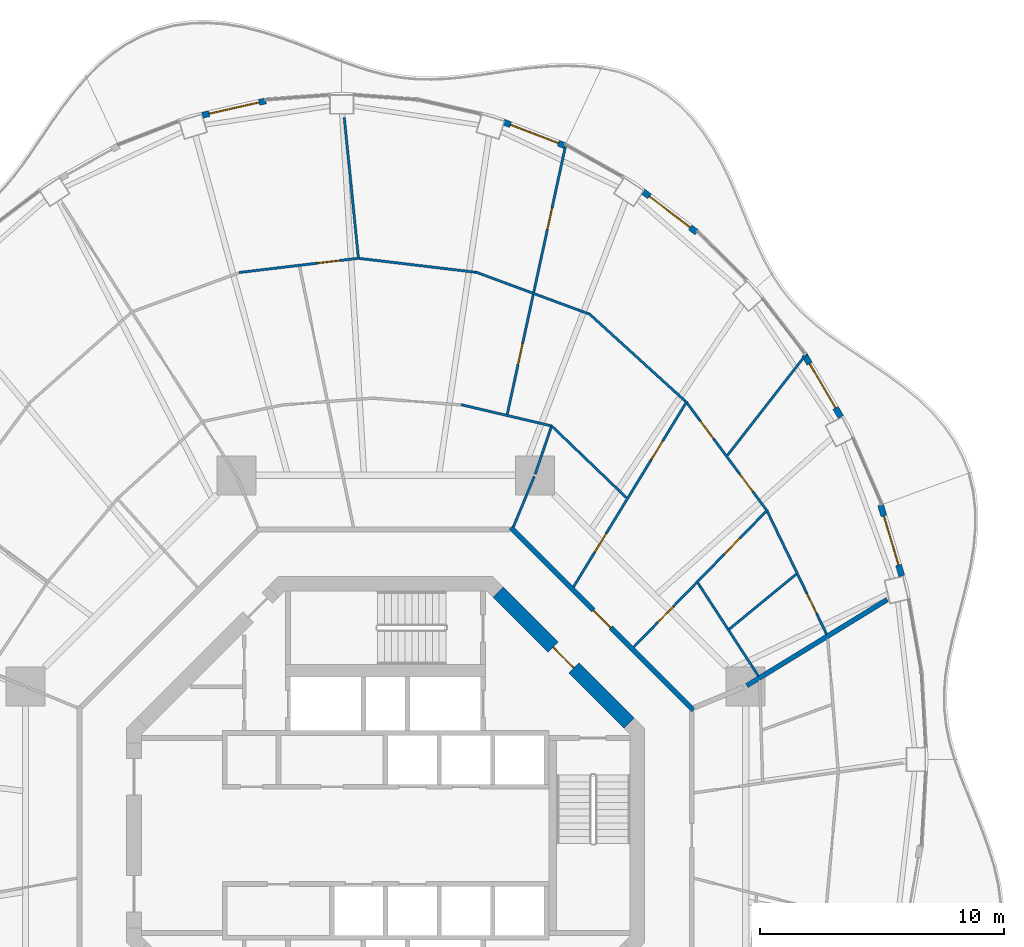
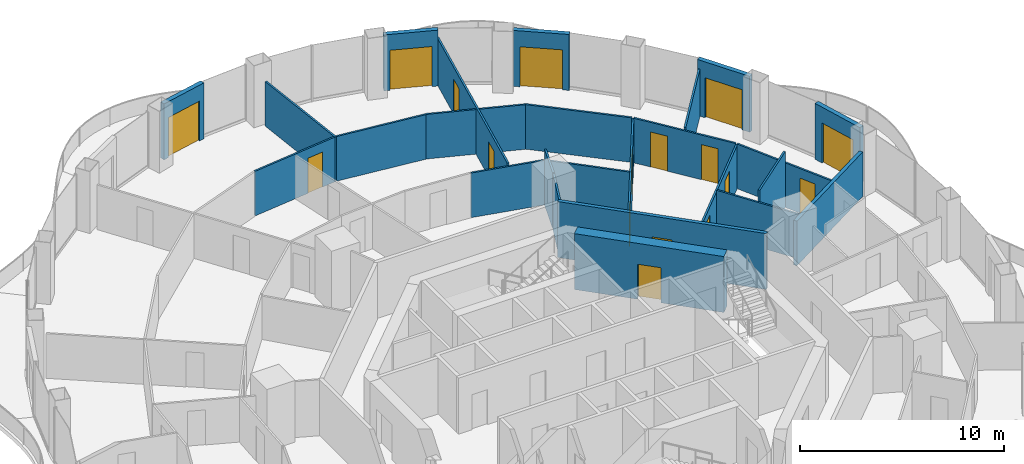
# One storey, part 14 of 18: 25 walls, 17 doors, 17 openings.
"""IFC4 building model written with IfcOpenShell, lengths in metres."""

import ifcopenshell
import ifcopenshell.guid

model = None  # the IFC model being written
_history = None  # IfcOwnerHistory: only IFC2X3 demands one
_inside = {}  # id of a spatial element -> (the spatial element, [elements in it])
_under = {}  # id of a project, library or spatial element -> (it, [spatial elements below it])
_declared = {}  # id of a project -> (the project, [libraries it declares])
_typed = {}  # id of a type object -> (the type object, [elements of that type])
_made_of = {}  # id of a material, layer set ... -> (it, [elements and type objects made of it])


def new_model(schema):
    """Start an empty IFC model of exactly this schema.

    Asked for "IFC4X3", IfcOpenShell would pick the latest addendum, in which some entities
    have other attributes; the version numbers below select the first issue.
    IFC2X3 requires an IfcOwnerHistory on every rooted entity: one is made here for all.
    """
    global model, _history
    if schema == "IFC4X3":
        model = ifcopenshell.file(schema_version=(4, 3, 0, 0))
    else:
        model = ifcopenshell.file(schema=schema)
    _inside.clear()
    _under.clear()
    _declared.clear()
    _typed.clear()
    _made_of.clear()
    _history = None
    if model.schema == "IFC2X3":
        org = make("IfcOrganization", Name="unknown")
        user = make(
            "IfcPersonAndOrganization",
            ThePerson=make("IfcPerson", FamilyName="unknown"),
            TheOrganization=org,
        )
        app = make(
            "IfcApplication",
            ApplicationDeveloper=org,
            Version="unknown",
            ApplicationFullName="unknown",
            ApplicationIdentifier="unknown",
        )
        _history = make(
            "IfcOwnerHistory",
            OwningUser=user,
            OwningApplication=app,
            ChangeAction="ADDED",
            CreationDate=0,
        )
    return model


def make(cls, **values):
    """One entity of the class cls with the attributes given. An attribute that is None is left unset."""
    return model.create_entity(
        cls, **{name: value for name, value in values.items() if value is not None}
    )


def rooted(cls, **values):
    """An entity with a GlobalId (a new one), such as an element, a storey or a relation."""
    return make(cls, GlobalId=ifcopenshell.guid.new(), OwnerHistory=_history, **values)


def si_unit(unit_type, name, prefix=None):
    """IfcSIUnit, for example si_unit("LENGTHUNIT", "METRE", prefix="MILLI")."""
    return make("IfcSIUnit", UnitType=unit_type, Prefix=prefix, Name=name)


def assignment(units):
    """IfcUnitAssignment: the units of a project."""
    return None if units is None else make("IfcUnitAssignment", Units=units)


def point(xyz):
    """IfcCartesianPoint."""
    return None if xyz is None else make("IfcCartesianPoint", Coordinates=xyz)


def direction(xyz):
    """IfcDirection."""
    return None if xyz is None else make("IfcDirection", DirectionRatios=xyz)


def frame(location, z_axis=None, x_axis=None):
    """IfcAxis2Placement3D, a coordinate frame: its origin and axes. An axis left out is left unset."""
    return make(
        "IfcAxis2Placement3D",
        Location=point(location),
        Axis=direction(z_axis),
        RefDirection=direction(x_axis),
    )


def frame_2d(location, x_axis=None):
    """IfcAxis2Placement2D, a coordinate frame in the plane: its origin and x axis."""
    return make(
        "IfcAxis2Placement2D", Location=point(location), RefDirection=direction(x_axis)
    )


def origin():
    """The frame at (0, 0, 0) with its axes left unset."""
    return frame((0.0, 0.0, 0.0))


def place(relative_to, where):
    """IfcLocalPlacement: puts the frame where relative to a parent placement (None: the world)."""
    return make(
        "IfcLocalPlacement", PlacementRelTo=relative_to, RelativePlacement=where
    )


def context(
    kind, dimensions, precision=None, world=None, true_north=None, identifier=None
):
    """IfcGeometricRepresentationContext, for example the 3D "Model" context."""
    return make(
        "IfcGeometricRepresentationContext",
        ContextIdentifier=identifier,
        ContextType=kind,
        CoordinateSpaceDimension=dimensions,
        Precision=precision,
        WorldCoordinateSystem=world,
        TrueNorth=true_north,
    )


def subcontext(parent, identifier, kind, view, scale=None):
    """IfcGeometricRepresentationSubContext, for example "Body" below "Model"."""
    return make(
        "IfcGeometricRepresentationSubContext",
        ContextIdentifier=identifier,
        ContextType=kind,
        ParentContext=parent,
        TargetScale=scale,
        TargetView=view,
    )


def project(units=None, contexts=None):
    """IfcProject with its units and contexts."""
    return rooted(
        "IfcProject",
        Name="project",
        RepresentationContexts=contexts,
        UnitsInContext=assignment(units),
    )


def spatial(cls, under=None, at=None, **own):
    """A site, building, storey or space (cls), placed at a placement, below another one or the project."""
    s = rooted(cls, ObjectPlacement=at, **own)
    if under is not None:
        _under.setdefault(under.id(), (under, []))[1].append(s)
    return s


def profile(cls, at=None, kind="AREA", **sizes):
    """A parametric profile (cls). Its sizes go by their IFC names, for example OverallWidth=200.0."""
    return make(cls, ProfileType=kind, Position=at, **sizes)


def rectangle(**sizes):
    """IfcRectangleProfileDef."""
    return profile("IfcRectangleProfileDef", **sizes)


def extrude(swept, where, along, depth):
    """IfcExtrudedAreaSolid: the profile swept, set in the frame where, extruded along a direction by depth."""
    return make(
        "IfcExtrudedAreaSolid",
        SweptArea=swept,
        Position=where,
        ExtrudedDirection=direction(along),
        Depth=depth,
    )


def shape(context_of_items, identifier, shape_type, items):
    """IfcShapeRepresentation: the items that make up one representation, for example the "Body"."""
    return make(
        "IfcShapeRepresentation",
        ContextOfItems=context_of_items,
        RepresentationIdentifier=identifier,
        RepresentationType=shape_type,
        Items=items,
    )


def material(Name=None, Category=None):
    """IfcMaterial."""
    return make("IfcMaterial", Name=Name, Category=Category)


def layer(
    of_material, thickness, ventilated=None, Name=None, Category=None, Priority=None
):
    """IfcMaterialLayer: one layer of a wall or slab, of a material (None: an air gap)."""
    return make(
        "IfcMaterialLayer",
        Material=of_material,
        LayerThickness=thickness,
        IsVentilated=ventilated,
        Name=Name,
        Category=Category,
        Priority=Priority,
    )


def layer_set(layers, Name=None):
    """IfcMaterialLayerSet."""
    return make("IfcMaterialLayerSet", MaterialLayers=layers, LayerSetName=Name)


def made_of(thing, what):
    """Note that an element or type object is made of a material, layer set ...; save() writes the relation."""
    if what is not None:
        _made_of.setdefault(what.id(), (what, []))[1].append(thing)
    return thing


def type_object(cls, material=None, **own):
    """A type object (cls), such as IfcWallType, which elements share."""
    return made_of(rooted(cls, **own), material)


def element(
    cls,
    number,
    at=None,
    inside=None,
    cuts=None,
    type_object=None,
    material=None,
    context=None,
    identifier="Body",
    shape_type=None,
    held_by="IfcProductDefinitionShape",
    body=None,
    shapes=None,
    **own,
):
    """One element of the class cls, such as IfcWall. Its Tag is "e" and its number.

    at: its placement. inside: the storey or other place that contains it. cuts: it is an
    opening in that element (IfcRelVoidsElement). A single representation is given by context,
    identifier, shape_type and body (its items); several are given by shapes. held_by: the class
    of the entity that holds the representations. save() writes the other relations.
    """
    e = rooted(cls, Tag="e%d" % number, ObjectPlacement=at, **own)
    if body is not None:
        shapes = [shape(context, identifier, shape_type, body)]
    if shapes is not None:
        e.Representation = make(held_by, Representations=shapes)
    if inside is not None:
        _inside.setdefault(inside.id(), (inside, []))[1].append(e)
    if cuts is not None:
        rooted(
            "IfcRelVoidsElement", RelatingBuildingElement=cuts, RelatedOpeningElement=e
        )
    if type_object is not None:
        _typed.setdefault(type_object.id(), (type_object, []))[1].append(e)
    return made_of(e, material)


def fill(opening, filler):
    """IfcRelFillsElement: the door or window that sits in an opening."""
    return rooted(
        "IfcRelFillsElement",
        RelatingOpeningElement=opening,
        RelatedBuildingElement=filler,
    )


def aggregate(whole, parts):
    """IfcRelAggregates: a whole, such as a stair, and the parts it consists of."""
    return rooted("IfcRelAggregates", RelatingObject=whole, RelatedObjects=parts)


def save(model, path):
    """Write the relations noted so far, then the file.

    IfcRelAggregates (storeys below a building ...), IfcRelContainedInSpatialStructure (elements
    in a storey), IfcRelDefinesByType, IfcRelAssociatesMaterial and IfcRelDeclares: one each for
    every whole, place, type object, material and project.
    """
    for whole, parts in _under.values():
        aggregate(whole, parts)
    for where, things in _inside.values():
        rooted(
            "IfcRelContainedInSpatialStructure",
            RelatedElements=things,
            RelatingStructure=where,
        )
    for kind, things in _typed.values():
        rooted("IfcRelDefinesByType", RelatedObjects=things, RelatingType=kind)
    for what, things in _made_of.values():
        rooted("IfcRelAssociatesMaterial", RelatedObjects=things, RelatingMaterial=what)
    for by, libraries in _declared.values():
        rooted("IfcRelDeclares", RelatingContext=by, RelatedDefinitions=libraries)
    model.write(path)


model = new_model("IFC4")

# Units and contexts
model_context = context("Model", 3, precision=1e-05, world=origin(), true_north=direction((0.0, 1.0)))
body_context = subcontext(model_context, "Body", "Model", "MODEL_VIEW")
ifc_project = project(units=[si_unit("LENGTHUNIT", "METRE"), si_unit("AREAUNIT", "SQUARE_METRE"), si_unit("VOLUMEUNIT", "CUBIC_METRE"), si_unit("PLANEANGLEUNIT", "RADIAN"), si_unit("MASSUNIT", "GRAM", prefix="KILO")], contexts=[model_context])

# Site, building, storey
site_placement = place(None, origin())
site = spatial("IfcSite", under=ifc_project, at=site_placement, CompositionType="ELEMENT")
building_placement = place(site_placement, origin())
building = spatial("IfcBuilding", under=site, at=building_placement, Name="Nagisa Residences", CompositionType="ELEMENT")
storey_placement = place(building_placement, frame((0.0, 0.0, 249.199951171875)))
storey = spatial("IfcBuildingStorey", under=building, at=storey_placement, Name="L63", CompositionType="ELEMENT", Elevation=249.199951171875)

# Wall
ifc_material_1 = material(Name="Gypsum board on steel studs", Category="steel")
ifc_layer_1 = layer(ifc_material_1, 0.199951171875)
ifc_layer_set_1 = layer_set([ifc_layer_1], Name="Apartment compartment wall EI60 200")
wall_type_1 = type_object("IfcWallType", Name="Apartment compartment wall EI60 200", PredefinedType="PARTITIONING", material=ifc_layer_set_1)
wall_1_placement = place(storey_placement, frame((14.82470703125, 6.149169921875, 0.0), z_axis=(0.0, 0.0, 1.0), x_axis=(0.852781365284, 0.522268075824, 0.0)))
element("IfcWall", 1, at=wall_1_placement, inside=storey, type_object=wall_type_1, Name="wall:L63:u01", PredefinedType="PARTITIONING", context=body_context, shape_type="SweptSolid", body=[
    extrude(rectangle(XDim=6.758056640625, YDim=0.199951171875, at=frame_2d((3.37890625, 0.0))), origin(), (0.0, 0.0, 1.0), 2.672119140625),
])

# Wall, opening, door
ifc_material_2 = material(Name="Gypsum board on steel studs", Category="steel")
ifc_layer_2 = layer(ifc_material_2, 0.199951171875)
ifc_layer_set_2 = layer_set([ifc_layer_2], Name="Apartment entry wall EI60 200")
wall_type_2 = type_object("IfcWallType", Name="Apartment entry wall EI60 200", PredefinedType="PARTITIONING", material=ifc_layer_set_2)
wall_2_placement = place(storey_placement, frame((12.635498046875, 5.1337890625, 0.0), z_axis=(0.0, 0.0, 1.0), x_axis=(-0.707106781187, 0.707106781187, 0.0)))
wall_2 = element("IfcWall", 2, at=wall_2_placement, inside=storey, type_object=wall_type_2, Name="wall:L63:u07", PredefinedType="PARTITIONING", context=body_context, shape_type="SweptSolid", body=[
    extrude(rectangle(XDim=10.609130859375, YDim=0.199951171875, at=frame_2d((5.3046875, 0.0))), origin(), (0.0, 0.0, 1.0), 3.35009765625),
])
opening_1_placement = place(wall_2_placement, frame((4.804443359375, 0.0, 0.0)))
opening_1 = element("IfcOpeningElement", 3, at=opening_1_placement, cuts=wall_2, Name="Opening L63-U13", PredefinedType="OPENING", context=body_context, shape_type="SweptSolid", body=[
    extrude(rectangle(XDim=1.0, YDim=2.10009765625, at=frame_2d((0.5, 1.050048828125))), frame((0.0, 0.10986328125, 0.0), z_axis=(0.0, -1.0, 0.0), x_axis=(1.0, 0.0, 0.0)), (0.0, 0.0, 1.0), 0.219970703125),
])
ifc_material_3 = material(Name="Timber fire door set", Category="wood")
door_type_1 = type_object("IfcDoorType", Name="Apartment entry door FD30S 1000x2100", OperationType="NOTDEFINED", PredefinedType="DOOR", material=ifc_material_3)
door_1_placement = place(opening_1_placement, frame((1.0, 0.0, 0.0), x_axis=(-1.0, 0.0, 0.0)))
door_1 = element("IfcDoor", 4, at=door_1_placement, inside=storey, type_object=door_type_1, Name="Entry door, Apartment 63B", OperationType="SINGLE_SWING_RIGHT", OverallHeight=2.10009765625, OverallWidth=1.0, PredefinedType="DOOR", context=body_context, shape_type="SweptSolid", body=[
    extrude(rectangle(XDim=1.0, YDim=2.10009765625, at=frame_2d((0.5, 1.050048828125))), frame((0.0, 0.02490234375, 0.0), z_axis=(0.0, -1.0, 0.0), x_axis=(1.0, 0.0, 0.0)), (0.0, 0.0, 1.0), 0.050048828125),
])
fill(opening_1, door_1)

# Wall
ifc_material_4 = material(Name="Gypsum board on steel studs", Category="steel")
ifc_layer_3 = layer(ifc_material_4, 0.10009765625)
ifc_layer_set_3 = layer_set([ifc_layer_3], Name="Apartment partition 100")
wall_type_3 = type_object("IfcWallType", Name="Apartment partition 100", PredefinedType="PARTITIONING", material=ifc_layer_set_3)
wall_3_placement = place(storey_placement, frame((15.295166015625, 6.554443359375, 0.0), z_axis=(0.0, 0.0, 1.0), x_axis=(-0.545150807833, 0.838337996705, 0.0)))
element("IfcWall", 5, at=wall_3_placement, inside=storey, type_object=wall_type_3, Name="wall:L63:u19", PredefinedType="PARTITIONING", context=body_context, shape_type="SweptSolid", body=[
    extrude(rectangle(XDim=4.54248046875, YDim=0.10009765625, at=frame_2d((2.271240234375, 0.0))), origin(), (0.0, 0.0, 1.0), 2.672119140625),
])

# Wall, opening, door
wall_4_placement = place(storey_placement, frame((18.094970703125, 8.2685546875, 0.0), z_axis=(0.0, 0.0, 1.0), x_axis=(-0.434643729881, 0.900602480607, 0.0)))
wall_4 = element("IfcWall", 6, at=wall_4_placement, inside=storey, type_object=wall_type_3, Name="wall:L63:u20", PredefinedType="PARTITIONING", context=body_context, shape_type="SweptSolid", body=[
    extrude(rectangle(XDim=5.57421875, YDim=0.10009765625, at=frame_2d((2.787109375, 0.0))), origin(), (0.0, 0.0, 1.0), 2.672119140625),
])
opening_2_placement = place(wall_4_placement, frame((0.93115234375, 0.0, 0.0)))
opening_2 = element("IfcOpeningElement", 7, at=opening_2_placement, cuts=wall_4, Name="Opening L63-U37", PredefinedType="OPENING", context=body_context, shape_type="SweptSolid", body=[
    extrude(rectangle(XDim=0.89990234375, YDim=2.10009765625, at=frame_2d((0.449951171875, 1.050048828125))), frame((0.0, 0.06005859375, 0.0), z_axis=(0.0, -1.0, 0.0), x_axis=(1.0, 0.0, 0.0)), (0.0, 0.0, 1.0), 0.1201171875),
])
ifc_material_5 = material(Name="Timber door set", Category="wood")
door_type_2 = type_object("IfcDoorType", Name="Apartment door 900x2100", OperationType="NOTDEFINED", PredefinedType="DOOR", material=ifc_material_5)
door_2_placement = place(opening_2_placement, origin())
door_2 = element("IfcDoor", 8, at=door_2_placement, inside=storey, type_object=door_type_2, Name="Door to en-suite bathroom, Apartment 63B", OperationType="SINGLE_SWING_LEFT", OverallHeight=2.10009765625, OverallWidth=0.89990234375, PredefinedType="DOOR", context=body_context, shape_type="SweptSolid", body=[
    extrude(rectangle(XDim=0.89990234375, YDim=2.10009765625, at=frame_2d((0.449951171875, 1.050048828125))), frame((0.0, 0.02490234375, 0.0), z_axis=(0.0, -1.0, 0.0), x_axis=(1.0, 0.0, 0.0)), (0.0, 0.0, 1.0), 0.050048828125),
])
fill(opening_2, door_2)

# Wall
wall_5_placement = place(storey_placement, frame((14.109375, 8.46923828125, 0.0), z_axis=(0.0, 0.0, 1.0), x_axis=(0.772802064515, 0.634647121699, 0.0)))
element("IfcWall", 9, at=wall_5_placement, inside=storey, type_object=wall_type_3, Name="wall:L63:u21", PredefinedType="PARTITIONING", context=body_context, shape_type="SweptSolid", body=[
    extrude(rectangle(XDim=3.5537109375, YDim=0.10009765625, at=frame_2d((1.77685546875, 0.0))), origin(), (0.0, 0.0, 1.0), 3.35009765625),
])

# Wall, openings, doors
wall_6_placement = place(storey_placement, frame((10.18115234375, 7.7294921875, 0.0), z_axis=(0.0, 0.0, 1.0), x_axis=(0.698426432281, 0.715681855779, 0.0)))
wall_6 = element("IfcWall", 10, at=wall_6_placement, inside=storey, type_object=wall_type_3, Name="wall:L63:u22", PredefinedType="PARTITIONING", context=body_context, shape_type="SweptSolid", body=[
    extrude(rectangle(XDim=7.880859375, YDim=0.10009765625, at=frame_2d((3.9404296875, 0.0))), origin(), (0.0, 0.0, 1.0), 2.59716796875),
])
opening_3_placement = place(wall_6_placement, frame((1.418701171875, 0.0, 0.0)))
opening_3 = element("IfcOpeningElement", 11, at=opening_3_placement, cuts=wall_6, Name="Opening L63-U14", PredefinedType="OPENING", context=body_context, shape_type="SweptSolid", body=[
    extrude(rectangle(XDim=0.89990234375, YDim=2.10009765625, at=frame_2d((0.449951171875, 1.050048828125))), frame((0.0, 0.06005859375, 0.0), z_axis=(0.0, -1.0, 0.0), x_axis=(1.0, 0.0, 0.0)), (0.0, 0.0, 1.0), 0.1201171875),
])
opening_4_placement = place(wall_6_placement, frame((5.333984375, 0.0, 0.0)))
opening_4 = element("IfcOpeningElement", 12, at=opening_4_placement, cuts=wall_6, Name="Opening L63-U16", PredefinedType="OPENING", context=body_context, shape_type="SweptSolid", body=[
    extrude(rectangle(XDim=0.89990234375, YDim=2.10009765625, at=frame_2d((0.449951171875, 1.050048828125))), frame((0.0, 0.06005859375, 0.0), z_axis=(0.0, -1.0, 0.0), x_axis=(1.0, 0.0, 0.0)), (0.0, 0.0, 1.0), 0.1201171875),
])
door_3_placement = place(opening_3_placement, frame((0.89990234375, 0.0, 0.0), x_axis=(-1.0, 0.0, 0.0)))
door_3 = element("IfcDoor", 13, at=door_3_placement, inside=storey, type_object=door_type_2, Name="Door to laundry, Apartment 63B", OperationType="SINGLE_SWING_LEFT", OverallHeight=2.10009765625, OverallWidth=0.89990234375, PredefinedType="DOOR", context=body_context, shape_type="SweptSolid", body=[
    extrude(rectangle(XDim=0.89990234375, YDim=2.10009765625, at=frame_2d((0.449951171875, 1.050048828125))), frame((0.0, 0.02490234375, 0.0), z_axis=(0.0, -1.0, 0.0), x_axis=(1.0, 0.0, 0.0)), (0.0, 0.0, 1.0), 0.050048828125),
])
fill(opening_3, door_3)
door_4_placement = place(opening_4_placement, frame((0.89990234375, 0.0, 0.0), x_axis=(-1.0, 0.0, 0.0)))
door_4 = element("IfcDoor", 14, at=door_4_placement, inside=storey, type_object=door_type_2, Name="Door to family bathroom, Apartment 63B", OperationType="SINGLE_SWING_LEFT", OverallHeight=2.10009765625, OverallWidth=0.89990234375, PredefinedType="DOOR", context=body_context, shape_type="SweptSolid", body=[
    extrude(rectangle(XDim=0.89990234375, YDim=2.10009765625, at=frame_2d((0.449951171875, 1.050048828125))), frame((0.0, 0.02490234375, 0.0), z_axis=(0.0, -1.0, 0.0), x_axis=(1.0, 0.0, 0.0)), (0.0, 0.0, 1.0), 0.050048828125),
])
fill(opening_4, door_4)

wall_7_placement = place(storey_placement, frame((15.62060546875, 13.3740234375, 0.0), z_axis=(0.0, 0.0, 1.0), x_axis=(-0.596174489482, 0.8028548923, 0.0)))
wall_7 = element("IfcWall", 15, at=wall_7_placement, inside=storey, type_object=wall_type_3, Name="wall:L63:u23", PredefinedType="PARTITIONING", context=body_context, shape_type="SweptSolid", body=[
    extrude(rectangle(XDim=5.44189453125, YDim=0.10009765625, at=frame_2d((2.720947265625, 0.0))), origin(), (0.0, 0.0, 1.0), 2.672119140625),
])
opening_5_placement = place(wall_7_placement, frame((0.910400390625, 0.0, 0.0)))
opening_5 = element("IfcOpeningElement", 16, at=opening_5_placement, cuts=wall_7, Name="Opening L63-U23", PredefinedType="OPENING", context=body_context, shape_type="SweptSolid", body=[
    extrude(rectangle(XDim=0.89990234375, YDim=2.10009765625, at=frame_2d((0.449951171875, 1.050048828125))), frame((0.0, 0.06005859375, 0.0), z_axis=(0.0, -1.0, 0.0), x_axis=(1.0, 0.0, 0.0)), (0.0, 0.0, 1.0), 0.1201171875),
])
opening_6_placement = place(wall_7_placement, frame((3.63134765625, 0.0, 0.0)))
opening_6 = element("IfcOpeningElement", 17, at=opening_6_placement, cuts=wall_7, Name="Opening L63-U24", PredefinedType="OPENING", context=body_context, shape_type="SweptSolid", body=[
    extrude(rectangle(XDim=0.89990234375, YDim=2.10009765625, at=frame_2d((0.449951171875, 1.050048828125))), frame((0.0, 0.06005859375, 0.0), z_axis=(0.0, -1.0, 0.0), x_axis=(1.0, 0.0, 0.0)), (0.0, 0.0, 1.0), 0.1201171875),
])
door_5_placement = place(opening_5_placement, frame((0.89990234375, 0.0, 0.0), x_axis=(-1.0, 0.0, 0.0)))
door_5 = element("IfcDoor", 18, at=door_5_placement, inside=storey, type_object=door_type_2, Name="Door to master bedroom, Apartment 63B", OperationType="SINGLE_SWING_RIGHT", OverallHeight=2.10009765625, OverallWidth=0.89990234375, PredefinedType="DOOR", context=body_context, shape_type="SweptSolid", body=[
    extrude(rectangle(XDim=0.89990234375, YDim=2.10009765625, at=frame_2d((0.449951171875, 1.050048828125))), frame((0.0, 0.02490234375, 0.0), z_axis=(0.0, -1.0, 0.0), x_axis=(1.0, 0.0, 0.0)), (0.0, 0.0, 1.0), 0.050048828125),
])
fill(opening_5, door_5)
door_6_placement = place(opening_6_placement, frame((0.89990234375, 0.0, 0.0), x_axis=(-1.0, 0.0, 0.0)))
door_6 = element("IfcDoor", 19, at=door_6_placement, inside=storey, type_object=door_type_2, Name="Door to family room, Apartment 63B", OperationType="SINGLE_SWING_LEFT", OverallHeight=2.10009765625, OverallWidth=0.89990234375, PredefinedType="DOOR", context=body_context, shape_type="SweptSolid", body=[
    extrude(rectangle(XDim=0.89990234375, YDim=2.10009765625, at=frame_2d((0.449951171875, 1.050048828125))), frame((0.0, 0.02490234375, 0.0), z_axis=(0.0, -1.0, 0.0), x_axis=(1.0, 0.0, 0.0)), (0.0, 0.0, 1.0), 0.050048828125),
])
fill(opening_6, door_6)

# Wall
wall_8_placement = place(storey_placement, frame((14.029052734375, 15.597900390625, 0.0), z_axis=(0.0, 0.0, 1.0), x_axis=(0.614558710688, 0.788871086501, 0.0)))
element("IfcWall", 20, at=wall_8_placement, inside=storey, type_object=wall_type_3, Name="wall:L63:u24", PredefinedType="PARTITIONING", context=body_context, shape_type="SweptSolid", body=[
    extrude(rectangle(XDim=5.276123046875, YDim=0.10009765625, at=frame_2d((2.63818359375, 0.0))), origin(), (0.0, 0.0, 1.0), 2.81494140625),
])

# Wall, openings, doors
wall_9_placement = place(storey_placement, frame((7.7099609375, 10.19677734375, 0.0), z_axis=(0.0, 0.0, 1.0), x_axis=(0.521477621335, 0.853264959111, 0.0)))
wall_9 = element("IfcWall", 21, at=wall_9_placement, inside=storey, type_object=wall_type_3, Name="wall:L63:u25", PredefinedType="PARTITIONING", context=body_context, shape_type="SweptSolid", body=[
    extrude(rectangle(XDim=8.941162109375, YDim=0.10009765625, at=frame_2d((4.470703125, 0.0))), origin(), (0.0, 0.0, 1.0), 2.59716796875),
])
opening_7_placement = place(wall_9_placement, frame((1.67529296875, 0.0, 0.0)))
opening_7 = element("IfcOpeningElement", 22, at=opening_7_placement, cuts=wall_9, Name="Opening L63-U15", PredefinedType="OPENING", context=body_context, shape_type="SweptSolid", body=[
    extrude(rectangle(XDim=0.89990234375, YDim=2.10009765625, at=frame_2d((0.449951171875, 1.050048828125))), frame((0.0, 0.06005859375, 0.0), z_axis=(0.0, -1.0, 0.0), x_axis=(1.0, 0.0, 0.0)), (0.0, 0.0, 1.0), 0.1201171875),
])
opening_8_placement = place(wall_9_placement, frame((6.120849609375, 0.0, 0.0)))
opening_8 = element("IfcOpeningElement", 23, at=opening_8_placement, cuts=wall_9, Name="Opening L63-U17", PredefinedType="OPENING", context=body_context, shape_type="SweptSolid", body=[
    extrude(rectangle(XDim=0.89990234375, YDim=2.10009765625, at=frame_2d((0.449951171875, 1.050048828125))), frame((0.0, 0.06005859375, 0.0), z_axis=(0.0, -1.0, 0.0), x_axis=(1.0, 0.0, 0.0)), (0.0, 0.0, 1.0), 0.1201171875),
])
door_7_placement = place(opening_7_placement, origin())
door_7 = element("IfcDoor", 24, at=door_7_placement, inside=storey, type_object=door_type_2, Name="Door to family bathroom, Apartment 63B", OperationType="SINGLE_SWING_LEFT", OverallHeight=2.10009765625, OverallWidth=0.89990234375, PredefinedType="DOOR", context=body_context, shape_type="SweptSolid", body=[
    extrude(rectangle(XDim=0.89990234375, YDim=2.10009765625, at=frame_2d((0.449951171875, 1.050048828125))), frame((0.0, 0.02490234375, 0.0), z_axis=(0.0, -1.0, 0.0), x_axis=(1.0, 0.0, 0.0)), (0.0, 0.0, 1.0), 0.050048828125),
])
fill(opening_7, door_7)
door_8_placement = place(opening_8_placement, origin())
door_8 = element("IfcDoor", 25, at=door_8_placement, inside=storey, type_object=door_type_2, Name="Door to kitchen, Apartment 63B", OperationType="SINGLE_SWING_LEFT", OverallHeight=2.10009765625, OverallWidth=0.89990234375, PredefinedType="DOOR", context=body_context, shape_type="SweptSolid", body=[
    extrude(rectangle(XDim=0.89990234375, YDim=2.10009765625, at=frame_2d((0.449951171875, 1.050048828125))), frame((0.0, 0.02490234375, 0.0), z_axis=(0.0, -1.0, 0.0), x_axis=(1.0, 0.0, 0.0)), (0.0, 0.0, 1.0), 0.050048828125),
])
fill(opening_8, door_8)

# Walls
wall_10_placement = place(storey_placement, frame((9.890380859375, 13.858154296875, 0.0), z_axis=(0.0, 0.0, 1.0), x_axis=(-0.72167233993, 0.692234811159, 0.0)))
element("IfcWall", 26, at=wall_10_placement, inside=storey, type_object=wall_type_3, Name="wall:L63:u26", PredefinedType="PARTITIONING", context=body_context, shape_type="SweptSolid", body=[
    extrude(rectangle(XDim=4.312744140625, YDim=0.10009765625, at=frame_2d((2.15625, 0.0))), origin(), (0.0, 0.0, 1.0), 2.672119140625),
])
wall_11_placement = place(storey_placement, frame((12.3095703125, 17.81689453125, 0.0), z_axis=(0.0, 0.0, 1.0), x_axis=(-0.739697052892, 0.672940019573, 0.0)))
element("IfcWall", 27, at=wall_11_placement, inside=storey, type_object=wall_type_3, Name="wall:L63:u27", PredefinedType="PARTITIONING", context=body_context, shape_type="SweptSolid", body=[
    extrude(rectangle(XDim=5.364990234375, YDim=0.10009765625, at=frame_2d((2.6826171875, 0.0))), origin(), (0.0, 0.0, 1.0), 2.672119140625),
])
wall_12_placement = place(storey_placement, frame((5.24267578125, 12.6572265625, 0.0), z_axis=(0.0, 0.0, 1.0), x_axis=(0.382719158442, 0.923864733477, 0.0)))
element("IfcWall", 28, at=wall_12_placement, inside=storey, type_object=wall_type_3, Name="wall:L63:u28", PredefinedType="PARTITIONING", context=body_context, shape_type="SweptSolid", body=[
    extrude(rectangle(XDim=2.25, YDim=0.10009765625, at=frame_2d((1.125, 0.0))), origin(), (0.0, 0.0, 1.0), 3.35009765625),
])
wall_13_placement = place(storey_placement, frame((6.13916015625, 14.829345703125, 0.0), z_axis=(0.0, 0.0, 1.0), x_axis=(0.32278593828, 0.946471995385, 0.0)))
element("IfcWall", 29, at=wall_13_placement, inside=storey, type_object=wall_type_3, Name="wall:L63:u29", PredefinedType="PARTITIONING", context=body_context, shape_type="SweptSolid", body=[
    extrude(rectangle(XDim=2.04150390625, YDim=0.10009765625, at=frame_2d((1.020751953125, 0.0))), origin(), (0.0, 0.0, 1.0), 3.35009765625),
])
wall_14_placement = place(storey_placement, frame((6.765625, 16.8203125, 0.0), z_axis=(0.0, 0.0, 1.0), x_axis=(-0.973620139133, 0.228174986961, 0.0)))
element("IfcWall", 30, at=wall_14_placement, inside=storey, type_object=wall_type_3, Name="wall:L63:u30", PredefinedType="PARTITIONING", context=body_context, shape_type="SweptSolid", body=[
    extrude(rectangle(XDim=3.76318359375, YDim=0.10009765625, at=frame_2d((1.881591796875, 0.0))), origin(), (0.0, 0.0, 1.0), 2.672119140625),
])
wall_15_placement = place(storey_placement, frame((8.3310546875, 21.410888671875, 0.0), z_axis=(0.0, 0.0, 1.0), x_axis=(-0.937892657706, 0.346925586575, 0.0)))
element("IfcWall", 31, at=wall_15_placement, inside=storey, type_object=wall_type_3, Name="wall:L63:u31", PredefinedType="PARTITIONING", context=body_context, shape_type="SweptSolid", body=[
    extrude(rectangle(XDim=4.949951171875, YDim=0.10009765625, at=frame_2d((2.47509765625, 0.0))), origin(), (0.0, 0.0, 1.0), 2.672119140625),
])

# Wall, openings, doors
wall_16_placement = place(storey_placement, frame((4.992919921875, 17.287109375, 0.0), z_axis=(0.0, 0.0, 1.0), x_axis=(0.21221094606, 0.977223881397, 0.0)))
wall_16 = element("IfcWall", 32, at=wall_16_placement, inside=storey, type_object=wall_type_3, Name="wall:L63:u32", PredefinedType="PARTITIONING", context=body_context, shape_type="SweptSolid", body=[
    extrude(rectangle(XDim=11.35498046875, YDim=0.10009765625, at=frame_2d((5.677490234375, 0.0))), origin(), (0.0, 0.0, 1.0), 2.81494140625),
])
opening_9_placement = place(wall_16_placement, frame((2.0888671875, 0.0, 0.0)))
opening_9 = element("IfcOpeningElement", 33, at=opening_9_placement, cuts=wall_16, Name="Opening L63-U18", PredefinedType="OPENING", context=body_context, shape_type="SweptSolid", body=[
    extrude(rectangle(XDim=0.89990234375, YDim=2.10009765625, at=frame_2d((0.449951171875, 1.050048828125))), frame((0.0, 0.06005859375, 0.0), z_axis=(0.0, -1.0, 0.0), x_axis=(1.0, 0.0, 0.0)), (0.0, 0.0, 1.0), 0.1201171875),
])
opening_10_placement = place(wall_16_placement, frame((7.7666015625, 0.0, 0.0)))
opening_10 = element("IfcOpeningElement", 34, at=opening_10_placement, cuts=wall_16, Name="Opening L63-U25", PredefinedType="OPENING", context=body_context, shape_type="SweptSolid", body=[
    extrude(rectangle(XDim=0.89990234375, YDim=2.10009765625, at=frame_2d((0.449951171875, 1.050048828125))), frame((0.0, 0.06005859375, 0.0), z_axis=(0.0, -1.0, 0.0), x_axis=(1.0, 0.0, 0.0)), (0.0, 0.0, 1.0), 0.1201171875),
])
door_9_placement = place(opening_9_placement, origin())
door_9 = element("IfcDoor", 35, at=door_9_placement, inside=storey, type_object=door_type_2, Name="Door to dining room, Apartment 63B", OperationType="SINGLE_SWING_RIGHT", OverallHeight=2.10009765625, OverallWidth=0.89990234375, PredefinedType="DOOR", context=body_context, shape_type="SweptSolid", body=[
    extrude(rectangle(XDim=0.89990234375, YDim=2.10009765625, at=frame_2d((0.449951171875, 1.050048828125))), frame((0.0, 0.02490234375, 0.0), z_axis=(0.0, -1.0, 0.0), x_axis=(1.0, 0.0, 0.0)), (0.0, 0.0, 1.0), 0.050048828125),
])
fill(opening_9, door_9)
door_10_placement = place(opening_10_placement, origin())
door_10 = element("IfcDoor", 36, at=door_10_placement, inside=storey, type_object=door_type_2, Name="Door to master bedroom, Apartment 63B", OperationType="SINGLE_SWING_LEFT", OverallHeight=2.10009765625, OverallWidth=0.89990234375, PredefinedType="DOOR", context=body_context, shape_type="SweptSolid", body=[
    extrude(rectangle(XDim=0.89990234375, YDim=2.10009765625, at=frame_2d((0.449951171875, 1.050048828125))), frame((0.0, 0.02490234375, 0.0), z_axis=(0.0, -1.0, 0.0), x_axis=(1.0, 0.0, 0.0)), (0.0, 0.0, 1.0), 0.050048828125),
])
fill(opening_10, door_10)

# Walls
wall_17_placement = place(storey_placement, frame((3.685791015625, 23.11669921875, 0.0), z_axis=(0.0, 0.0, 1.0), x_axis=(-0.992965872314, 0.11840091393, 0.0)))
element("IfcWall", 37, at=wall_17_placement, inside=storey, type_object=wall_type_3, Name="wall:L63:u34", PredefinedType="PARTITIONING", context=body_context, shape_type="SweptSolid", body=[
    extrude(rectangle(XDim=4.785888671875, YDim=0.10009765625, at=frame_2d((2.39306640625, 0.0))), origin(), (0.0, 0.0, 1.0), 2.672119140625),
])
wall_18_placement = place(storey_placement, frame((-1.111083984375, 23.6396484375, 0.0), z_axis=(0.0, 0.0, 1.0), x_axis=(-0.099784339691, 0.995009088176, 0.0)))
element("IfcWall", 38, at=wall_18_placement, inside=storey, type_object=wall_type_3, Name="wall:L63:u36", PredefinedType="PARTITIONING", context=body_context, shape_type="SweptSolid", body=[
    extrude(rectangle(XDim=5.857421875, YDim=0.10009765625, at=frame_2d((2.9287109375, 0.0))), origin(), (0.0, 0.0, 1.0), 2.672119140625),
])

# Wall, opening, door
wall_19_placement = place(storey_placement, frame((-1.165771484375, 23.683349609375, 0.0), z_axis=(0.0, 0.0, 1.0), x_axis=(-0.992961712415, -0.118435795593, 0.0)))
wall_19 = element("IfcWall", 39, at=wall_19_placement, inside=storey, type_object=wall_type_3, Name="wall:L63:u37", PredefinedType="PARTITIONING", context=body_context, shape_type="SweptSolid", body=[
    extrude(rectangle(XDim=4.885498046875, YDim=0.10009765625, at=frame_2d((2.44287109375, 0.0))), origin(), (0.0, 0.0, 1.0), 2.672119140625),
])
opening_11_placement = place(wall_19_placement, frame((0.746337890625, 0.0, 0.0)))
opening_11 = element("IfcOpeningElement", 40, at=opening_11_placement, cuts=wall_19, Name="Opening L63-U26", PredefinedType="OPENING", context=body_context, shape_type="SweptSolid", body=[
    extrude(rectangle(XDim=0.89990234375, YDim=2.10009765625, at=frame_2d((0.449951171875, 1.050048828125))), frame((0.0, 0.06005859375, 0.0), z_axis=(0.0, -1.0, 0.0), x_axis=(1.0, 0.0, 0.0)), (0.0, 0.0, 1.0), 0.1201171875),
])
door_11_placement = place(opening_11_placement, frame((0.89990234375, 0.0, 0.0), x_axis=(-1.0, 0.0, 0.0)))
door_11 = element("IfcDoor", 41, at=door_11_placement, inside=storey, type_object=door_type_2, Name="Door to living room, Apartment 63B", OperationType="SINGLE_SWING_LEFT", OverallHeight=2.10009765625, OverallWidth=0.89990234375, PredefinedType="DOOR", context=body_context, shape_type="SweptSolid", body=[
    extrude(rectangle(XDim=0.89990234375, YDim=2.10009765625, at=frame_2d((0.449951171875, 1.050048828125))), frame((0.0, 0.02490234375, 0.0), z_axis=(0.0, -1.0, 0.0), x_axis=(1.0, 0.0, 0.0)), (0.0, 0.0, 1.0), 0.050048828125),
])
fill(opening_11, door_11)

ifc_material_6 = material(Name="Precast concrete C40/50", Category="concrete")
ifc_layer_4 = layer(ifc_material_6, 0.25)
ifc_layer_set_4 = layer_set([ifc_layer_4], Name="BALCONY DOOR WALL 250")
wall_type_4 = type_object("IfcWallType", Name="BALCONY DOOR WALL 250", PredefinedType="SOLIDWALL", material=ifc_layer_set_4)
wall_20_placement = place(storey_placement, frame((20.318115234375, 13.563720703125, 0.0), z_axis=(0.0, 0.0, 1.0), x_axis=(0.285785716255, -0.958293548128, 0.0)))
wall_20 = element("IfcWall", 42, at=wall_20_placement, inside=storey, type_object=wall_type_4, Name="wall:L63:bay02", PredefinedType="SOLIDWALL", context=body_context, shape_type="SweptSolid", body=[
    extrude(rectangle(XDim=3.040283203125, YDim=0.25, at=frame_2d((1.52001953125, 0.0))), origin(), (0.0, 0.0, 1.0), 3.35009765625),
])
opening_12_placement = place(wall_20_placement, frame((0.47021484375, 0.0, 0.0)))
opening_12 = element("IfcOpeningElement", 43, at=opening_12_placement, cuts=wall_20, Name="Opening BD-L63-01", PredefinedType="OPENING", context=body_context, shape_type="SweptSolid", body=[
    extrude(rectangle(XDim=2.10009765625, YDim=2.39990234375, at=frame_2d((1.050048828125, 1.199951171875))), frame((0.0, 0.135009765625, 0.0), z_axis=(0.0, -1.0, 0.0), x_axis=(1.0, 0.0, 0.0)), (0.0, 0.0, 1.0), 0.27001953125),
])
ifc_material_7 = material(Name="Aluminium and clear glass", Category="aluminium")
door_type_3 = type_object("IfcDoorType", Name="BALCONY SLIDING DOOR 2100x2400", OperationType="SLIDING_TO_LEFT", PredefinedType="DOOR", material=ifc_material_7)
door_12_placement = place(opening_12_placement, origin())
door_12 = element("IfcDoor", 44, at=door_12_placement, inside=storey, type_object=door_type_3, Name="door:L63:bay02", OperationType="SLIDING_TO_LEFT", OverallHeight=2.39990234375, OverallWidth=2.10009765625, PredefinedType="DOOR", context=body_context, shape_type="SweptSolid", body=[
    extrude(rectangle(XDim=2.10009765625, YDim=2.39990234375, at=frame_2d((1.050048828125, 1.199951171875))), frame((0.0, 0.02490234375, 0.0), z_axis=(0.0, -1.0, 0.0), x_axis=(1.0, 0.0, 0.0)), (0.0, 0.0, 1.0), 0.050048828125),
])
fill(opening_12, door_12)

wall_21_placement = place(storey_placement, frame((17.188232421875, 19.728271484375, 0.0), z_axis=(0.0, 0.0, 1.0), x_axis=(0.506391620556, -0.862303616269, 0.0)))
wall_21 = element("IfcWall", 45, at=wall_21_placement, inside=storey, type_object=wall_type_4, Name="wall:L63:bay04", PredefinedType="SOLIDWALL", context=body_context, shape_type="SweptSolid", body=[
    extrude(rectangle(XDim=2.954345703125, YDim=0.25, at=frame_2d((1.47705078125, 0.0))), origin(), (0.0, 0.0, 1.0), 3.35009765625),
])
opening_13_placement = place(wall_21_placement, frame((0.42724609375, 0.0, 0.0)))
opening_13 = element("IfcOpeningElement", 46, at=opening_13_placement, cuts=wall_21, Name="Opening BD-L63-02", PredefinedType="OPENING", context=body_context, shape_type="SweptSolid", body=[
    extrude(rectangle(XDim=2.10009765625, YDim=2.39990234375, at=frame_2d((1.050048828125, 1.199951171875))), frame((0.0, 0.135009765625, 0.0), z_axis=(0.0, -1.0, 0.0), x_axis=(1.0, 0.0, 0.0)), (0.0, 0.0, 1.0), 0.27001953125),
])
door_13_placement = place(opening_13_placement, origin())
door_13 = element("IfcDoor", 47, at=door_13_placement, inside=storey, type_object=door_type_3, Name="door:L63:bay04", OperationType="SLIDING_TO_LEFT", OverallHeight=2.39990234375, OverallWidth=2.10009765625, PredefinedType="DOOR", context=body_context, shape_type="SweptSolid", body=[
    extrude(rectangle(XDim=2.10009765625, YDim=2.39990234375, at=frame_2d((1.050048828125, 1.199951171875))), frame((0.0, 0.02490234375, 0.0), z_axis=(0.0, -1.0, 0.0), x_axis=(1.0, 0.0, 0.0)), (0.0, 0.0, 1.0), 0.050048828125),
])
fill(opening_13, door_13)

wall_22_placement = place(storey_placement, frame((10.557373046875, 26.43603515625, 0.0), z_axis=(0.0, 0.0, 1.0), x_axis=(0.796022158395, -0.605267480825, 0.0)))
wall_22 = element("IfcWall", 48, at=wall_22_placement, inside=storey, type_object=wall_type_4, Name="wall:L63:bay07", PredefinedType="SOLIDWALL", context=body_context, shape_type="SweptSolid", body=[
    extrude(rectangle(XDim=2.788818359375, YDim=0.25, at=frame_2d((1.39453125, 0.0))), origin(), (0.0, 0.0, 1.0), 3.35009765625),
])
opening_14_placement = place(wall_22_placement, frame((0.34423828125, 0.0, 0.0)))
opening_14 = element("IfcOpeningElement", 49, at=opening_14_placement, cuts=wall_22, Name="Opening BD-L63-03", PredefinedType="OPENING", context=body_context, shape_type="SweptSolid", body=[
    extrude(rectangle(XDim=2.10009765625, YDim=2.39990234375, at=frame_2d((1.050048828125, 1.199951171875))), frame((0.0, 0.135009765625, 0.0), z_axis=(0.0, -1.0, 0.0), x_axis=(1.0, 0.0, 0.0)), (0.0, 0.0, 1.0), 0.27001953125),
])
door_14_placement = place(opening_14_placement, origin())
door_14 = element("IfcDoor", 50, at=door_14_placement, inside=storey, type_object=door_type_3, Name="door:L63:bay07", OperationType="SLIDING_TO_LEFT", OverallHeight=2.39990234375, OverallWidth=2.10009765625, PredefinedType="DOOR", context=body_context, shape_type="SweptSolid", body=[
    extrude(rectangle(XDim=2.10009765625, YDim=2.39990234375, at=frame_2d((1.050048828125, 1.199951171875))), frame((0.0, 0.02490234375, 0.0), z_axis=(0.0, -1.0, 0.0), x_axis=(1.0, 0.0, 0.0)), (0.0, 0.0, 1.0), 0.050048828125),
])
fill(opening_14, door_14)

wall_23_placement = place(storey_placement, frame((4.85107421875, 29.277587890625, 0.0), z_axis=(0.0, 0.0, 1.0), x_axis=(0.932838255163, -0.360295420044, 0.0)))
wall_23 = element("IfcWall", 51, at=wall_23_placement, inside=storey, type_object=wall_type_4, Name="wall:L63:bay09", PredefinedType="SOLIDWALL", context=body_context, shape_type="SweptSolid", body=[
    extrude(rectangle(XDim=2.6962890625, YDim=0.25, at=frame_2d((1.34814453125, 0.0))), origin(), (0.0, 0.0, 1.0), 3.35009765625),
])
opening_15_placement = place(wall_23_placement, frame((0.298095703125, 0.0, 0.0)))
opening_15 = element("IfcOpeningElement", 52, at=opening_15_placement, cuts=wall_23, Name="Opening BD-L63-04", PredefinedType="OPENING", context=body_context, shape_type="SweptSolid", body=[
    extrude(rectangle(XDim=2.10009765625, YDim=2.39990234375, at=frame_2d((1.050048828125, 1.199951171875))), frame((0.0, 0.135009765625, 0.0), z_axis=(0.0, -1.0, 0.0), x_axis=(1.0, 0.0, 0.0)), (0.0, 0.0, 1.0), 0.27001953125),
])
door_15_placement = place(opening_15_placement, origin())
door_15 = element("IfcDoor", 53, at=door_15_placement, inside=storey, type_object=door_type_3, Name="door:L63:bay09", OperationType="SLIDING_TO_LEFT", OverallHeight=2.39990234375, OverallWidth=2.10009765625, PredefinedType="DOOR", context=body_context, shape_type="SweptSolid", body=[
    extrude(rectangle(XDim=2.10009765625, YDim=2.39990234375, at=frame_2d((1.050048828125, 1.199951171875))), frame((0.0, 0.02490234375, 0.0), z_axis=(0.0, -1.0, 0.0), x_axis=(1.0, 0.0, 0.0)), (0.0, 0.0, 1.0), 0.050048828125),
])
fill(opening_15, door_15)

wall_24_placement = place(storey_placement, frame((-7.514404296875, 29.562744140625, 0.0), z_axis=(0.0, 0.0, 1.0), x_axis=(0.975324089124, 0.220777990694, 0.0)))
wall_24 = element("IfcWall", 54, at=wall_24_placement, inside=storey, type_object=wall_type_4, Name="wall:L63:bay13", PredefinedType="SOLIDWALL", context=body_context, shape_type="SweptSolid", body=[
    extrude(rectangle(XDim=2.666015625, YDim=0.25, at=frame_2d((1.3330078125, 0.0))), origin(), (0.0, 0.0, 1.0), 3.35009765625),
])
opening_16_placement = place(wall_24_placement, frame((0.282958984375, 0.0, 0.0)))
opening_16 = element("IfcOpeningElement", 55, at=opening_16_placement, cuts=wall_24, Name="Opening BD-L63-05", PredefinedType="OPENING", context=body_context, shape_type="SweptSolid", body=[
    extrude(rectangle(XDim=2.10009765625, YDim=2.39990234375, at=frame_2d((1.050048828125, 1.199951171875))), frame((0.0, 0.135009765625, 0.0), z_axis=(0.0, -1.0, 0.0), x_axis=(1.0, 0.0, 0.0)), (0.0, 0.0, 1.0), 0.27001953125),
])
door_16_placement = place(opening_16_placement, origin())
door_16 = element("IfcDoor", 56, at=door_16_placement, inside=storey, type_object=door_type_3, Name="door:L63:bay13", OperationType="SLIDING_TO_LEFT", OverallHeight=2.39990234375, OverallWidth=2.10009765625, PredefinedType="DOOR", context=body_context, shape_type="SweptSolid", body=[
    extrude(rectangle(XDim=2.10009765625, YDim=2.39990234375, at=frame_2d((1.050048828125, 1.199951171875))), frame((0.0, 0.02490234375, 0.0), z_axis=(0.0, -1.0, 0.0), x_axis=(1.0, 0.0, 0.0)), (0.0, 0.0, 1.0), 0.050048828125),
])
fill(opening_16, door_16)

ifc_material_8 = material(Name="Concrete C60", Category="concrete")
ifc_layer_5 = layer(ifc_material_8, 0.60009765625)
ifc_layer_set_5 = layer_set([ifc_layer_5], Name="Core shear wall 600")
wall_type_5 = type_object("IfcWallType", Name="Core shear wall 600", PredefinedType="SHEAR", material=ifc_layer_set_5)
wall_25_placement = place(storey_placement, frame((9.98828125, 4.613037109375, 0.0), z_axis=(0.0, 0.0, 1.0), x_axis=(-0.707106781187, 0.707106781187, 0.0)))
wall_25 = element("IfcWall", 57, at=wall_25_placement, inside=storey, type_object=wall_type_5, Name="wall:L63:core:flat1", PredefinedType="SHEAR", context=body_context, shape_type="SweptSolid", body=[
    extrude(rectangle(XDim=7.601806640625, YDim=0.60009765625, at=frame_2d((3.80078125, 0.0))), origin(), (0.0, 0.0, 1.0), 3.35009765625),
])
opening_17_placement = place(wall_25_placement, frame((3.200927734375, 0.0, 0.0)))
opening_17 = element("IfcOpeningElement", 58, at=opening_17_placement, cuts=wall_25, Name="Opening L63-C19", PredefinedType="OPENING", context=body_context, shape_type="SweptSolid", body=[
    extrude(rectangle(XDim=1.199951171875, YDim=2.10009765625, at=frame_2d((0.60009765625, 1.050048828125))), frame((0.0, 0.31005859375, 0.0), z_axis=(0.0, -1.0, 0.0), x_axis=(1.0, 0.0, 0.0)), (0.0, 0.0, 1.0), 0.6201171875),
])
ifc_material_9 = material(Name="Steel fire door", Category="steel")
door_type_4 = type_object("IfcDoorType", Name="Fire door EI60 1200x2100 single swing", OperationType="NOTDEFINED", PredefinedType="DOOR", material=ifc_material_9)
door_17_placement = place(opening_17_placement, origin())
door_17 = element("IfcDoor", 59, at=door_17_placement, inside=storey, type_object=door_type_4, Name="Firefighting lobby 1 door L63", OperationType="SINGLE_SWING_RIGHT", OverallHeight=2.10009765625, OverallWidth=1.199951171875, PredefinedType="DOOR", context=body_context, shape_type="SweptSolid", body=[
    extrude(rectangle(XDim=1.199951171875, YDim=2.10009765625, at=frame_2d((0.60009765625, 1.050048828125))), frame((0.0, 0.02490234375, 0.0), z_axis=(0.0, -1.0, 0.0), x_axis=(1.0, 0.0, 0.0)), (0.0, 0.0, 1.0), 0.050048828125),
])
fill(opening_17, door_17)

save(model, "model.ifc")
